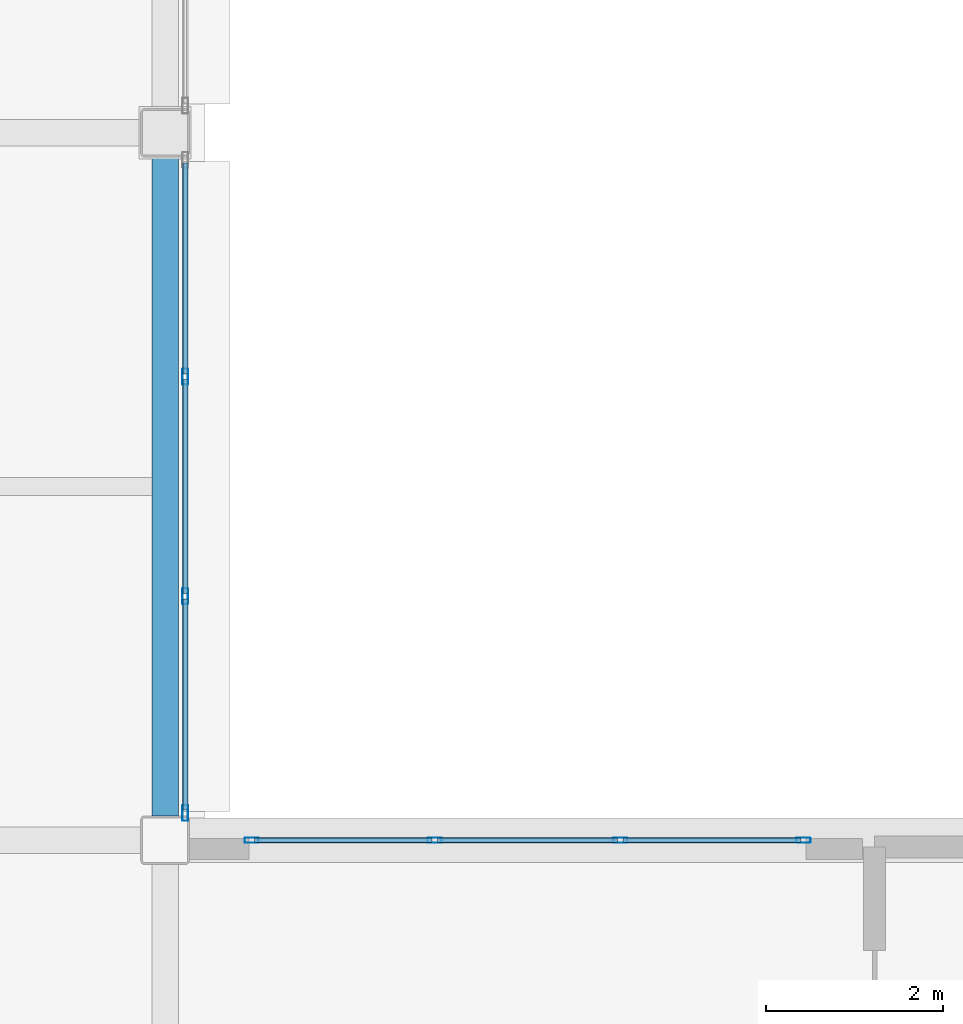
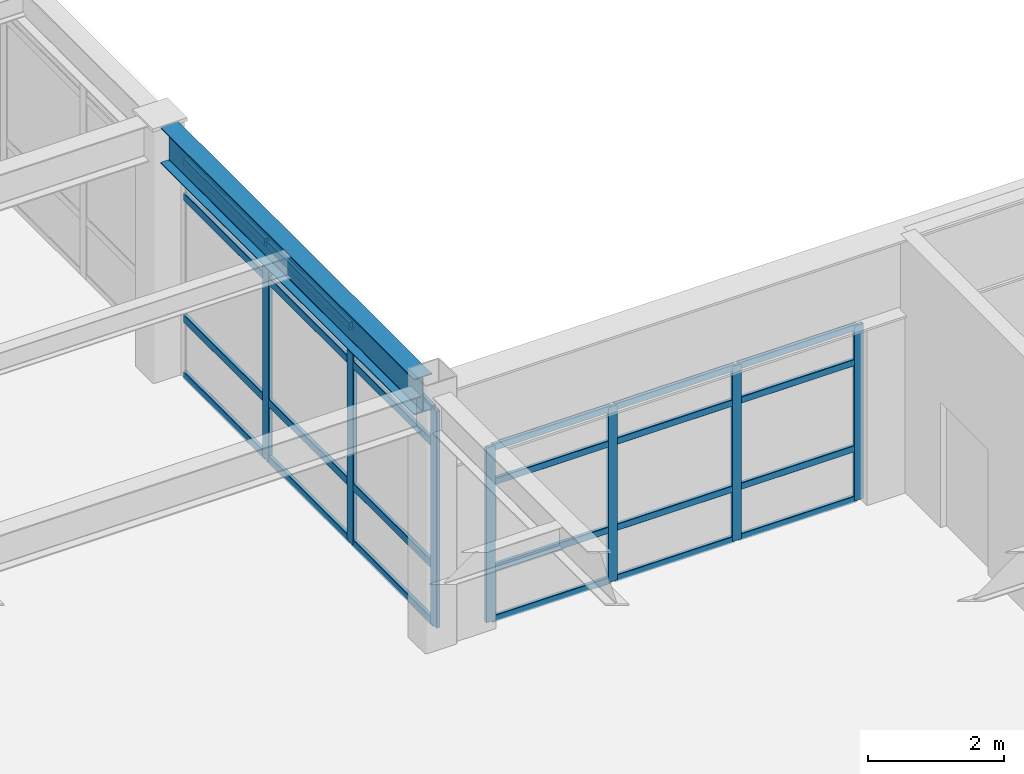
# One storey, part 52 of 154: 31 members, 1 beam, 2 elements without a shape of their own.
"""IFC4 building model written with IfcOpenShell, lengths in metres."""

from ifc_helpers import new_model, si_unit, direction, frame, origin, origin_2d, place, context, subcontext, project, spatial, hollow_rectangle, i_section, extrude, material, layer, layer_set, material_profile, profile_set, type_object, element, aggregate, save


model = new_model("IFC4")

# Units and contexts
model_context = context("Model", 3, precision=1e-05, world=origin(), true_north=direction((0.0, 1.0)))
body_context = subcontext(model_context, "Body", "Model", "MODEL_VIEW")
ifc_project = project(units=[si_unit("LENGTHUNIT", "METRE"), si_unit("AREAUNIT", "SQUARE_METRE"), si_unit("VOLUMEUNIT", "CUBIC_METRE"), si_unit("PLANEANGLEUNIT", "RADIAN"), si_unit("MASSUNIT", "GRAM", prefix="KILO")], contexts=[model_context])

# Site, building, storey
site_placement = place(None, origin())
site = spatial("IfcSite", under=ifc_project, at=site_placement, CompositionType="ELEMENT")
building_placement = place(site_placement, origin())
building = spatial("IfcBuilding", under=site, at=building_placement, Name="Kazehara Bluff Congress Hotel", CompositionType="ELEMENT")
storey_placement = place(building_placement, frame((0.0, 0.0, 10.199951171875)))
storey = spatial("IfcBuildingStorey", under=building, at=storey_placement, Name="L02", CompositionType="ELEMENT", Elevation=10.199951171875)

# Curtain wall, members
ifc_material_1 = material(Name="Anodised aluminium", Category="aluminium")
ifc_layer_1 = layer(ifc_material_1, 0.159912109375)
ifc_layer_set_1 = layer_set([ifc_layer_1], Name="Anodised aluminium")
curtain_wall_type_1 = type_object("IfcCurtainWallType", Name="TP-CW-72", PredefinedType="NOTDEFINED", material=ifc_layer_set_1)
curtain_wall_1_placement = place(storey_placement, origin())
curtain_wall_1 = element("IfcCurtainWall", 1, at=curtain_wall_1_placement, inside=storey, type_object=curtain_wall_type_1, Name="L02 curtain wall CW-72 CW-V4-L02-Y5645-6860", PredefinedType="NOTDEFINED")
ifc_material_2 = material(Name="Anodised aluminium", Category="aluminium")
ifc_material_profile_1 = material_profile(ifc_material_2, hollow_rectangle(XDim=0.06005859375, YDim=0.159912109375, WallThickness=0.00390625, InnerFilletRadius=0.00390625, OuterFilletRadius=0.008056640625, at=origin_2d()))
ifc_profile_set_1 = profile_set([ifc_material_profile_1], Name="Anodised aluminium")
member_type_1 = type_object("IfcMemberType", Name="TP-CWM-01", PredefinedType="MULLION", material=ifc_profile_set_1)
member_1_placement = place(storey_placement, frame((68.6298828125, 56.449951171875, 0.0), z_axis=(0.0, 0.0, 1.0), x_axis=(0.0, 1.0, 0.0)))
member_1 = element("IfcMember", 2, at=member_1_placement, type_object=member_type_1, Name="CW-72 mullion 1", PredefinedType="MULLION", context=body_context, shape_type="SweptSolid", body=[
    extrude(hollow_rectangle(XDim=0.06005859375, YDim=0.159912109375, WallThickness=0.00390625, InnerFilletRadius=0.00390625, OuterFilletRadius=0.008056640625, at=origin_2d()), origin(), (0.0, 0.0, 1.0), 3.135009765625),
])
member_2_placement = place(storey_placement, frame((70.699951171875, 56.449951171875, 0.0), z_axis=(0.0, 0.0, 1.0), x_axis=(0.0, 1.0, 0.0)))
member_2 = element("IfcMember", 3, at=member_2_placement, type_object=member_type_1, Name="CW-72 mullion 2", PredefinedType="MULLION", context=body_context, shape_type="SweptSolid", body=[
    extrude(hollow_rectangle(XDim=0.06005859375, YDim=0.159912109375, WallThickness=0.00390625, InnerFilletRadius=0.00390625, OuterFilletRadius=0.008056640625, at=origin_2d()), origin(), (0.0, 0.0, 1.0), 3.135009765625),
])
member_3_placement = place(storey_placement, frame((72.800048828125, 56.449951171875, 0.0), z_axis=(0.0, 0.0, 1.0), x_axis=(0.0, 1.0, 0.0)))
member_3 = element("IfcMember", 4, at=member_3_placement, type_object=member_type_1, Name="CW-72 mullion 3", PredefinedType="MULLION", context=body_context, shape_type="SweptSolid", body=[
    extrude(hollow_rectangle(XDim=0.06005859375, YDim=0.159912109375, WallThickness=0.00390625, InnerFilletRadius=0.00390625, OuterFilletRadius=0.008056640625, at=origin_2d()), origin(), (0.0, 0.0, 1.0), 3.135009765625),
])
member_4_placement = place(storey_placement, frame((74.8701171875, 56.449951171875, 0.0), z_axis=(0.0, 0.0, 1.0), x_axis=(0.0, 1.0, 0.0)))
member_4 = element("IfcMember", 5, at=member_4_placement, type_object=member_type_1, Name="CW-72 mullion 4", PredefinedType="MULLION", context=body_context, shape_type="SweptSolid", body=[
    extrude(hollow_rectangle(XDim=0.06005859375, YDim=0.159912109375, WallThickness=0.00390625, InnerFilletRadius=0.00390625, OuterFilletRadius=0.008056640625, at=origin_2d()), origin(), (0.0, 0.0, 1.0), 3.135009765625),
])

ifc_material_3 = material(Name="Anodised aluminium", Category="aluminium")
ifc_layer_2 = layer(ifc_material_3, 0.159912109375)
ifc_layer_set_2 = layer_set([ifc_layer_2], Name="Anodised aluminium")
curtain_wall_type_2 = type_object("IfcCurtainWallType", Name="TP-CW-140", PredefinedType="NOTDEFINED", material=ifc_layer_set_2)
curtain_wall_2_placement = place(storey_placement, origin())
curtain_wall_2 = element("IfcCurtainWall", 6, at=curtain_wall_2_placement, inside=storey, type_object=curtain_wall_type_2, Name="L02 curtain wall CW-140 CW-ENC-V4-L02-6788-6045", PredefinedType="NOTDEFINED")
ifc_material_4 = material(Name="Anodised aluminium", Category="aluminium")
ifc_material_profile_2 = material_profile(ifc_material_4, hollow_rectangle(XDim=0.06494140625, YDim=0.179931640625, WallThickness=0.00390625, InnerFilletRadius=0.00390625, OuterFilletRadius=0.008056640625, at=origin_2d()))
ifc_profile_set_2 = profile_set([ifc_material_profile_2], Name="Anodised aluminium")
member_type_2 = type_object("IfcMemberType", Name="TP-CWM-02", PredefinedType="MULLION", material=ifc_profile_set_2)
member_5_placement = place(storey_placement, frame((67.8798828125, 61.691650390625, 0.0), z_axis=(0.0, 0.0, 1.0), x_axis=(1.0, 0.0, 0.0)))
member_5 = element("IfcMember", 7, at=member_5_placement, type_object=member_type_2, Name="CW-140 mullion 2", PredefinedType="MULLION", context=body_context, shape_type="SweptSolid", body=[
    extrude(hollow_rectangle(XDim=0.06494140625, YDim=0.179931640625, WallThickness=0.00390625, InnerFilletRadius=0.00390625, OuterFilletRadius=0.008056640625, at=origin_2d()), origin(), (0.0, 0.0, 1.0), 3.885009765625),
])
member_6_placement = place(storey_placement, frame((67.8798828125, 59.208251953125, 0.0), z_axis=(0.0, 0.0, 1.0), x_axis=(1.0, 0.0, 0.0)))
member_6 = element("IfcMember", 8, at=member_6_placement, type_object=member_type_2, Name="CW-140 mullion 3", PredefinedType="MULLION", context=body_context, shape_type="SweptSolid", body=[
    extrude(hollow_rectangle(XDim=0.06494140625, YDim=0.179931640625, WallThickness=0.00390625, InnerFilletRadius=0.00390625, OuterFilletRadius=0.008056640625, at=origin_2d()), origin(), (0.0, 0.0, 1.0), 3.885009765625),
])
member_7_placement = place(storey_placement, frame((67.8798828125, 56.757568359375, 0.0), z_axis=(0.0, 0.0, 1.0), x_axis=(1.0, 0.0, 0.0)))
member_7 = element("IfcMember", 9, at=member_7_placement, type_object=member_type_2, Name="CW-140 mullion 4", PredefinedType="MULLION", context=body_context, shape_type="SweptSolid", body=[
    extrude(hollow_rectangle(XDim=0.06494140625, YDim=0.179931640625, WallThickness=0.00390625, InnerFilletRadius=0.00390625, OuterFilletRadius=0.008056640625, at=origin_2d()), origin(), (0.0, 0.0, 1.0), 3.885009765625),
])

# Member
ifc_material_5 = material(Name="Anodised aluminium", Category="aluminium")
ifc_material_profile_3 = material_profile(ifc_material_5, hollow_rectangle(XDim=0.06005859375, YDim=0.1201171875, WallThickness=0.00390625, InnerFilletRadius=0.00390625, OuterFilletRadius=0.008056640625, at=origin_2d()))
ifc_profile_set_3 = profile_set([ifc_material_profile_3], Name="Anodised aluminium")
member_type_3 = type_object("IfcMemberType", Name="TP-CWT-01", PredefinedType="USERDEFINED", material=ifc_profile_set_3)
member_8_placement = place(storey_placement, frame((68.659912109375, 56.449951171875, 0.030029296875), z_axis=(1.0, 0.0, 0.0), x_axis=(0.0, 1.0, 0.0)))
member_8 = element("IfcMember", 10, at=member_8_placement, type_object=member_type_3, Name="CW-72 transom 1.1", ObjectType="TRANSOM", PredefinedType="USERDEFINED", context=body_context, shape_type="SweptSolid", body=[
    extrude(hollow_rectangle(XDim=0.06005859375, YDim=0.1201171875, WallThickness=0.00390625, InnerFilletRadius=0.00390625, OuterFilletRadius=0.008056640625, at=origin_2d()), origin(), (0.0, 0.0, 1.0), 2.010009765625),
])

member_9_placement = place(storey_placement, frame((68.659912109375, 56.449951171875, 0.93994140625), z_axis=(1.0, 0.0, 0.0), x_axis=(0.0, 1.0, 0.0)))
member_9 = element("IfcMember", 11, at=member_9_placement, type_object=member_type_3, Name="CW-72 transom 1.2", ObjectType="TRANSOM", PredefinedType="USERDEFINED", context=body_context, shape_type="SweptSolid", body=[
    extrude(hollow_rectangle(XDim=0.06005859375, YDim=0.1201171875, WallThickness=0.00390625, InnerFilletRadius=0.00390625, OuterFilletRadius=0.008056640625, at=origin_2d()), origin(), (0.0, 0.0, 1.0), 2.010009765625),
])

member_10_placement = place(storey_placement, frame((68.659912109375, 56.449951171875, 2.485107421875), z_axis=(1.0, 0.0, 0.0), x_axis=(0.0, 1.0, 0.0)))
member_10 = element("IfcMember", 12, at=member_10_placement, type_object=member_type_3, Name="CW-72 transom 1.3", ObjectType="TRANSOM", PredefinedType="USERDEFINED", context=body_context, shape_type="SweptSolid", body=[
    extrude(hollow_rectangle(XDim=0.06005859375, YDim=0.1201171875, WallThickness=0.00390625, InnerFilletRadius=0.00390625, OuterFilletRadius=0.008056640625, at=origin_2d()), origin(), (0.0, 0.0, 1.0), 2.010009765625),
])

member_11_placement = place(storey_placement, frame((68.659912109375, 56.449951171875, 3.10498046875), z_axis=(1.0, 0.0, 0.0), x_axis=(0.0, 1.0, 0.0)))
member_11 = element("IfcMember", 13, at=member_11_placement, type_object=member_type_3, Name="CW-72 transom 1.4", ObjectType="TRANSOM", PredefinedType="USERDEFINED", context=body_context, shape_type="SweptSolid", body=[
    extrude(hollow_rectangle(XDim=0.06005859375, YDim=0.1201171875, WallThickness=0.00390625, InnerFilletRadius=0.00390625, OuterFilletRadius=0.008056640625, at=origin_2d()), origin(), (0.0, 0.0, 1.0), 2.010009765625),
])

member_12_placement = place(storey_placement, frame((70.72998046875, 56.449951171875, 0.030029296875), z_axis=(1.0, 0.0, 0.0), x_axis=(0.0, 1.0, 0.0)))
member_12 = element("IfcMember", 14, at=member_12_placement, type_object=member_type_3, Name="CW-72 transom 2.1", ObjectType="TRANSOM", PredefinedType="USERDEFINED", context=body_context, shape_type="SweptSolid", body=[
    extrude(hollow_rectangle(XDim=0.06005859375, YDim=0.1201171875, WallThickness=0.00390625, InnerFilletRadius=0.00390625, OuterFilletRadius=0.008056640625, at=origin_2d()), origin(), (0.0, 0.0, 1.0), 2.0400390625),
])

member_13_placement = place(storey_placement, frame((70.72998046875, 56.449951171875, 0.93994140625), z_axis=(1.0, 0.0, 0.0), x_axis=(0.0, 1.0, 0.0)))
member_13 = element("IfcMember", 15, at=member_13_placement, type_object=member_type_3, Name="CW-72 transom 2.2", ObjectType="TRANSOM", PredefinedType="USERDEFINED", context=body_context, shape_type="SweptSolid", body=[
    extrude(hollow_rectangle(XDim=0.06005859375, YDim=0.1201171875, WallThickness=0.00390625, InnerFilletRadius=0.00390625, OuterFilletRadius=0.008056640625, at=origin_2d()), origin(), (0.0, 0.0, 1.0), 2.0400390625),
])

member_14_placement = place(storey_placement, frame((70.72998046875, 56.449951171875, 2.485107421875), z_axis=(1.0, 0.0, 0.0), x_axis=(0.0, 1.0, 0.0)))
member_14 = element("IfcMember", 16, at=member_14_placement, type_object=member_type_3, Name="CW-72 transom 2.3", ObjectType="TRANSOM", PredefinedType="USERDEFINED", context=body_context, shape_type="SweptSolid", body=[
    extrude(hollow_rectangle(XDim=0.06005859375, YDim=0.1201171875, WallThickness=0.00390625, InnerFilletRadius=0.00390625, OuterFilletRadius=0.008056640625, at=origin_2d()), origin(), (0.0, 0.0, 1.0), 2.0400390625),
])

member_15_placement = place(storey_placement, frame((70.72998046875, 56.449951171875, 3.10498046875), z_axis=(1.0, 0.0, 0.0), x_axis=(0.0, 1.0, 0.0)))
member_15 = element("IfcMember", 17, at=member_15_placement, type_object=member_type_3, Name="CW-72 transom 2.4", ObjectType="TRANSOM", PredefinedType="USERDEFINED", context=body_context, shape_type="SweptSolid", body=[
    extrude(hollow_rectangle(XDim=0.06005859375, YDim=0.1201171875, WallThickness=0.00390625, InnerFilletRadius=0.00390625, OuterFilletRadius=0.008056640625, at=origin_2d()), origin(), (0.0, 0.0, 1.0), 2.0400390625),
])

member_16_placement = place(storey_placement, frame((72.830078125, 56.449951171875, 0.030029296875), z_axis=(1.0, 0.0, 0.0), x_axis=(0.0, 1.0, 0.0)))
member_16 = element("IfcMember", 18, at=member_16_placement, type_object=member_type_3, Name="CW-72 transom 3.1", ObjectType="TRANSOM", PredefinedType="USERDEFINED", context=body_context, shape_type="SweptSolid", body=[
    extrude(hollow_rectangle(XDim=0.06005859375, YDim=0.1201171875, WallThickness=0.00390625, InnerFilletRadius=0.00390625, OuterFilletRadius=0.008056640625, at=origin_2d()), origin(), (0.0, 0.0, 1.0), 2.010009765625),
])

member_17_placement = place(storey_placement, frame((72.830078125, 56.449951171875, 0.93994140625), z_axis=(1.0, 0.0, 0.0), x_axis=(0.0, 1.0, 0.0)))
member_17 = element("IfcMember", 19, at=member_17_placement, type_object=member_type_3, Name="CW-72 transom 3.2", ObjectType="TRANSOM", PredefinedType="USERDEFINED", context=body_context, shape_type="SweptSolid", body=[
    extrude(hollow_rectangle(XDim=0.06005859375, YDim=0.1201171875, WallThickness=0.00390625, InnerFilletRadius=0.00390625, OuterFilletRadius=0.008056640625, at=origin_2d()), origin(), (0.0, 0.0, 1.0), 2.010009765625),
])

member_18_placement = place(storey_placement, frame((72.830078125, 56.449951171875, 2.485107421875), z_axis=(1.0, 0.0, 0.0), x_axis=(0.0, 1.0, 0.0)))
member_18 = element("IfcMember", 20, at=member_18_placement, type_object=member_type_3, Name="CW-72 transom 3.3", ObjectType="TRANSOM", PredefinedType="USERDEFINED", context=body_context, shape_type="SweptSolid", body=[
    extrude(hollow_rectangle(XDim=0.06005859375, YDim=0.1201171875, WallThickness=0.00390625, InnerFilletRadius=0.00390625, OuterFilletRadius=0.008056640625, at=origin_2d()), origin(), (0.0, 0.0, 1.0), 2.010009765625),
])

member_19_placement = place(storey_placement, frame((72.830078125, 56.449951171875, 3.10498046875), z_axis=(1.0, 0.0, 0.0), x_axis=(0.0, 1.0, 0.0)))
member_19 = element("IfcMember", 21, at=member_19_placement, type_object=member_type_3, Name="CW-72 transom 3.4", ObjectType="TRANSOM", PredefinedType="USERDEFINED", context=body_context, shape_type="SweptSolid", body=[
    extrude(hollow_rectangle(XDim=0.06005859375, YDim=0.1201171875, WallThickness=0.00390625, InnerFilletRadius=0.00390625, OuterFilletRadius=0.008056640625, at=origin_2d()), origin(), (0.0, 0.0, 1.0), 2.010009765625),
])

aggregate(curtain_wall_1, [member_1, member_2, member_3, member_4, member_8, member_9, member_10, member_11, member_12, member_13, member_14, member_15, member_16, member_17, member_18, member_19])

ifc_material_6 = material(Name="Anodised aluminium", Category="aluminium")
ifc_material_profile_4 = material_profile(ifc_material_6, hollow_rectangle(XDim=0.06494140625, YDim=0.139892578125, WallThickness=0.00390625, InnerFilletRadius=0.00390625, OuterFilletRadius=0.008056640625, at=origin_2d()))
ifc_profile_set_4 = profile_set([ifc_material_profile_4], Name="Anodised aluminium")
member_type_4 = type_object("IfcMemberType", Name="TP-CWT-02", PredefinedType="USERDEFINED", material=ifc_profile_set_4)
member_20_placement = place(storey_placement, frame((67.8798828125, 64.110107421875, 0.032470703125), z_axis=(0.0, -1.0, 0.0), x_axis=(1.0, 0.0, 0.0)))
member_20 = element("IfcMember", 22, at=member_20_placement, type_object=member_type_4, Name="CW-140 transom 1.1", ObjectType="TRANSOM", PredefinedType="USERDEFINED", context=body_context, shape_type="SweptSolid", body=[
    extrude(hollow_rectangle(XDim=0.06494140625, YDim=0.139892578125, WallThickness=0.00390625, InnerFilletRadius=0.00390625, OuterFilletRadius=0.008056640625, at=origin_2d()), origin(), (0.0, 0.0, 1.0), 2.385986328125),
])

member_21_placement = place(storey_placement, frame((67.8798828125, 64.110107421875, 1.050048828125), z_axis=(0.0, -1.0, 0.0), x_axis=(1.0, 0.0, 0.0)))
member_21 = element("IfcMember", 23, at=member_21_placement, type_object=member_type_4, Name="CW-140 transom 1.2", ObjectType="TRANSOM", PredefinedType="USERDEFINED", context=body_context, shape_type="SweptSolid", body=[
    extrude(hollow_rectangle(XDim=0.06494140625, YDim=0.139892578125, WallThickness=0.00390625, InnerFilletRadius=0.00390625, OuterFilletRadius=0.008056640625, at=origin_2d()), origin(), (0.0, 0.0, 1.0), 2.385986328125),
])

member_22_placement = place(storey_placement, frame((67.8798828125, 64.110107421875, 3.235107421875), z_axis=(0.0, -1.0, 0.0), x_axis=(1.0, 0.0, 0.0)))
member_22 = element("IfcMember", 24, at=member_22_placement, type_object=member_type_4, Name="CW-140 transom 1.3", ObjectType="TRANSOM", PredefinedType="USERDEFINED", context=body_context, shape_type="SweptSolid", body=[
    extrude(hollow_rectangle(XDim=0.06494140625, YDim=0.139892578125, WallThickness=0.00390625, InnerFilletRadius=0.00390625, OuterFilletRadius=0.008056640625, at=origin_2d()), origin(), (0.0, 0.0, 1.0), 2.385986328125),
])

member_23_placement = place(storey_placement, frame((67.8798828125, 64.110107421875, 3.8525390625), z_axis=(0.0, -1.0, 0.0), x_axis=(1.0, 0.0, 0.0)))
member_23 = element("IfcMember", 25, at=member_23_placement, type_object=member_type_4, Name="CW-140 transom 1.4", ObjectType="TRANSOM", PredefinedType="USERDEFINED", context=body_context, shape_type="SweptSolid", body=[
    extrude(hollow_rectangle(XDim=0.06494140625, YDim=0.139892578125, WallThickness=0.00390625, InnerFilletRadius=0.00390625, OuterFilletRadius=0.008056640625, at=origin_2d()), origin(), (0.0, 0.0, 1.0), 2.385986328125),
])

member_24_placement = place(storey_placement, frame((67.8798828125, 61.6591796875, 0.032470703125), z_axis=(0.0, -1.0, 0.0), x_axis=(1.0, 0.0, 0.0)))
member_24 = element("IfcMember", 26, at=member_24_placement, type_object=member_type_4, Name="CW-140 transom 2.1", ObjectType="TRANSOM", PredefinedType="USERDEFINED", context=body_context, shape_type="SweptSolid", body=[
    extrude(hollow_rectangle(XDim=0.06494140625, YDim=0.139892578125, WallThickness=0.00390625, InnerFilletRadius=0.00390625, OuterFilletRadius=0.008056640625, at=origin_2d()), origin(), (0.0, 0.0, 1.0), 2.41845703125),
])

member_25_placement = place(storey_placement, frame((67.8798828125, 61.6591796875, 1.050048828125), z_axis=(0.0, -1.0, 0.0), x_axis=(1.0, 0.0, 0.0)))
member_25 = element("IfcMember", 27, at=member_25_placement, type_object=member_type_4, Name="CW-140 transom 2.2", ObjectType="TRANSOM", PredefinedType="USERDEFINED", context=body_context, shape_type="SweptSolid", body=[
    extrude(hollow_rectangle(XDim=0.06494140625, YDim=0.139892578125, WallThickness=0.00390625, InnerFilletRadius=0.00390625, OuterFilletRadius=0.008056640625, at=origin_2d()), origin(), (0.0, 0.0, 1.0), 2.41845703125),
])

member_26_placement = place(storey_placement, frame((67.8798828125, 61.6591796875, 3.235107421875), z_axis=(0.0, -1.0, 0.0), x_axis=(1.0, 0.0, 0.0)))
member_26 = element("IfcMember", 28, at=member_26_placement, type_object=member_type_4, Name="CW-140 transom 2.3", ObjectType="TRANSOM", PredefinedType="USERDEFINED", context=body_context, shape_type="SweptSolid", body=[
    extrude(hollow_rectangle(XDim=0.06494140625, YDim=0.139892578125, WallThickness=0.00390625, InnerFilletRadius=0.00390625, OuterFilletRadius=0.008056640625, at=origin_2d()), origin(), (0.0, 0.0, 1.0), 2.41845703125),
])

member_27_placement = place(storey_placement, frame((67.8798828125, 61.6591796875, 3.8525390625), z_axis=(0.0, -1.0, 0.0), x_axis=(1.0, 0.0, 0.0)))
member_27 = element("IfcMember", 29, at=member_27_placement, type_object=member_type_4, Name="CW-140 transom 2.4", ObjectType="TRANSOM", PredefinedType="USERDEFINED", context=body_context, shape_type="SweptSolid", body=[
    extrude(hollow_rectangle(XDim=0.06494140625, YDim=0.139892578125, WallThickness=0.00390625, InnerFilletRadius=0.00390625, OuterFilletRadius=0.008056640625, at=origin_2d()), origin(), (0.0, 0.0, 1.0), 2.41845703125),
])

member_28_placement = place(storey_placement, frame((67.8798828125, 59.17578125, 0.032470703125), z_axis=(0.0, -1.0, 0.0), x_axis=(1.0, 0.0, 0.0)))
member_28 = element("IfcMember", 30, at=member_28_placement, type_object=member_type_4, Name="CW-140 transom 3.1", ObjectType="TRANSOM", PredefinedType="USERDEFINED", context=body_context, shape_type="SweptSolid", body=[
    extrude(hollow_rectangle(XDim=0.06494140625, YDim=0.139892578125, WallThickness=0.00390625, InnerFilletRadius=0.00390625, OuterFilletRadius=0.008056640625, at=origin_2d()), origin(), (0.0, 0.0, 1.0), 2.3857421875),
])

member_29_placement = place(storey_placement, frame((67.8798828125, 59.17578125, 1.050048828125), z_axis=(0.0, -1.0, 0.0), x_axis=(1.0, 0.0, 0.0)))
member_29 = element("IfcMember", 31, at=member_29_placement, type_object=member_type_4, Name="CW-140 transom 3.2", ObjectType="TRANSOM", PredefinedType="USERDEFINED", context=body_context, shape_type="SweptSolid", body=[
    extrude(hollow_rectangle(XDim=0.06494140625, YDim=0.139892578125, WallThickness=0.00390625, InnerFilletRadius=0.00390625, OuterFilletRadius=0.008056640625, at=origin_2d()), origin(), (0.0, 0.0, 1.0), 2.3857421875),
])

member_30_placement = place(storey_placement, frame((67.8798828125, 59.17578125, 3.235107421875), z_axis=(0.0, -1.0, 0.0), x_axis=(1.0, 0.0, 0.0)))
member_30 = element("IfcMember", 32, at=member_30_placement, type_object=member_type_4, Name="CW-140 transom 3.3", ObjectType="TRANSOM", PredefinedType="USERDEFINED", context=body_context, shape_type="SweptSolid", body=[
    extrude(hollow_rectangle(XDim=0.06494140625, YDim=0.139892578125, WallThickness=0.00390625, InnerFilletRadius=0.00390625, OuterFilletRadius=0.008056640625, at=origin_2d()), origin(), (0.0, 0.0, 1.0), 2.3857421875),
])

member_31_placement = place(storey_placement, frame((67.8798828125, 59.17578125, 3.8525390625), z_axis=(0.0, -1.0, 0.0), x_axis=(1.0, 0.0, 0.0)))
member_31 = element("IfcMember", 33, at=member_31_placement, type_object=member_type_4, Name="CW-140 transom 3.4", ObjectType="TRANSOM", PredefinedType="USERDEFINED", context=body_context, shape_type="SweptSolid", body=[
    extrude(hollow_rectangle(XDim=0.06494140625, YDim=0.139892578125, WallThickness=0.00390625, InnerFilletRadius=0.00390625, OuterFilletRadius=0.008056640625, at=origin_2d()), origin(), (0.0, 0.0, 1.0), 2.3857421875),
])

aggregate(curtain_wall_2, [member_5, member_6, member_7, member_20, member_21, member_22, member_23, member_24, member_25, member_26, member_27, member_28, member_29, member_30, member_31])

# Beam
ifc_material_7 = material(Name="Steel SN490B", Category="steel")
ifc_material_profile_5 = material_profile(ifc_material_7, i_section(OverallWidth=0.300048828125, OverallDepth=0.64990234375, WebThickness=0.011962890625, FlangeThickness=0.02001953125, FilletRadius=0.012939453125, at=origin_2d()))
ifc_profile_set_5 = profile_set([ifc_material_profile_5], Name="Steel SN490B")
beam_type = type_object("IfcBeamType", Name="TP-G-03", PredefinedType="BEAM", material=ifc_profile_set_5)
beam_placement = place(storey_placement, frame((67.64990234375, 56.72509765625, 4.235107421875), z_axis=(0.0, 1.0, 0.0), x_axis=(-1.0, 0.0, 0.0)))
element("IfcBeam", 34, at=beam_placement, inside=storey, type_object=beam_type, Name="L02 girder G-03 69", PredefinedType="BEAM", context=body_context, shape_type="SweptSolid", body=[
    extrude(i_section(OverallWidth=0.300048828125, OverallDepth=0.64990234375, WebThickness=0.011962890625, FlangeThickness=0.02001953125, FilletRadius=0.012939453125, at=origin_2d()), origin(), (0.0, 0.0, 1.0), 7.449951171875),
])

save(model, "model.ifc")
